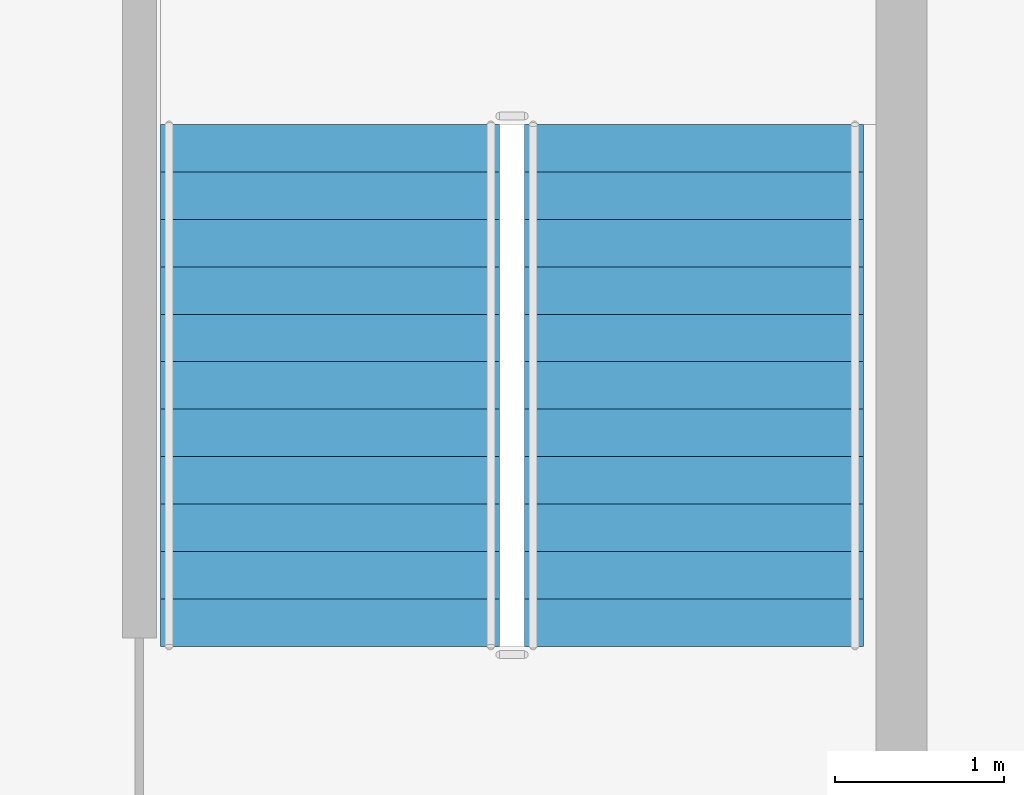
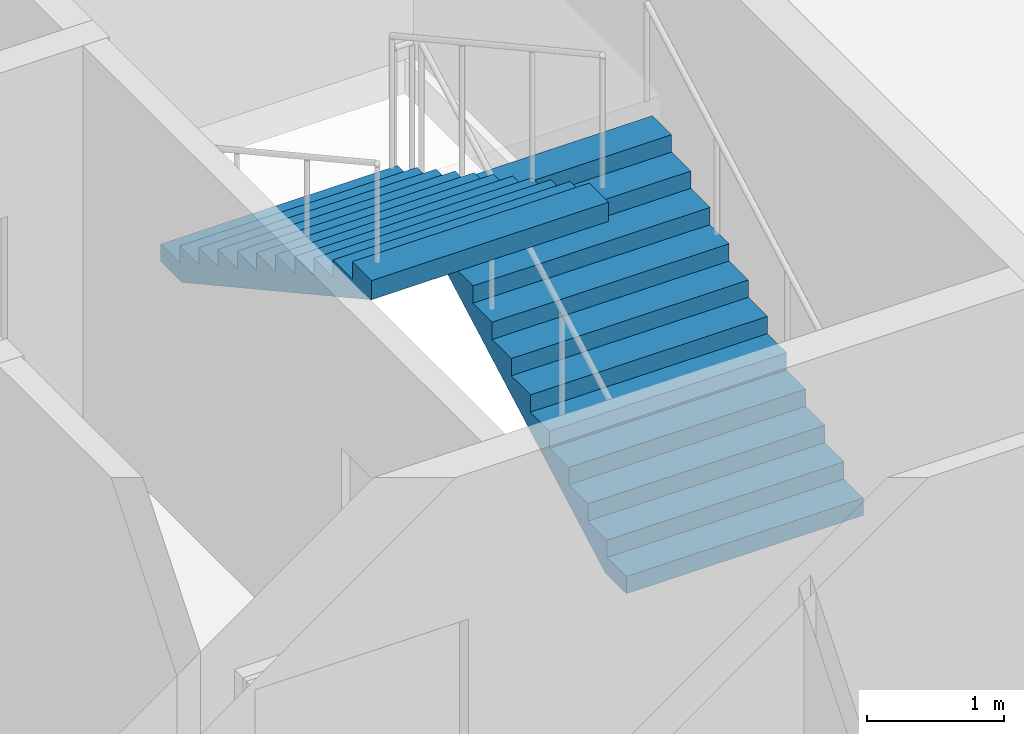
# One storey, part 10 of 12: 2 stair flights, 1 element without a shape of its own.
"""IFC4 building model written with IfcOpenShell, lengths in metres."""

from ifc_helpers import new_model, si_unit, direction, frame, origin, place, context, subcontext, project, spatial, polygons, material, type_object, element, aggregate, save


model = new_model("IFC4")

# Units and contexts
model_context = context("Model", 3, precision=1e-05, world=origin(), true_north=direction((0.0, 1.0)))
body_context = subcontext(model_context, "Body", "Model", "MODEL_VIEW")
ifc_project = project(units=[si_unit("LENGTHUNIT", "METRE"), si_unit("AREAUNIT", "SQUARE_METRE"), si_unit("VOLUMEUNIT", "CUBIC_METRE"), si_unit("PLANEANGLEUNIT", "RADIAN"), si_unit("MASSUNIT", "GRAM", prefix="KILO")], contexts=[model_context])

# Site, building, storey
site_placement = place(None, origin())
site = spatial("IfcSite", under=ifc_project, at=site_placement, CompositionType="ELEMENT")
building_placement = place(site_placement, origin())
building = spatial("IfcBuilding", under=site, at=building_placement, Name="Caravel Reach Hotel and Residences", CompositionType="ELEMENT")
storey_placement = place(building_placement, frame((0.0, 0.0, 218.300048828125)))
storey = spatial("IfcBuildingStorey", under=building, at=storey_placement, Name="L55", CompositionType="ELEMENT", Elevation=218.300048828125)

# Stair, stair flights
ifc_material_1 = material(Name="Concrete C40", Category="concrete")
stair_type = type_object("IfcStairType", Name="Core stair", PredefinedType="HALF_TURN_STAIR", material=ifc_material_1)
stair_placement = place(storey_placement, origin())
stair = element("IfcStair", 1, at=stair_placement, inside=storey, type_object=stair_type, Name="L55 Exit stair B", PredefinedType="HALF_TURN_STAIR")
ifc_material_2 = material(Name="Concrete C40", Category="concrete")
stair_flight_type = type_object("IfcStairFlightType", Name="Core stair flight", PredefinedType="STRAIGHT", material=ifc_material_2)
stair_flight_1_placement = place(storey_placement, frame((43.77490234375, 24.64990234375, 0.0), z_axis=(0.0, 0.0, 1.0), x_axis=(0.0, 1.0, 0.0)))
stair_flight_1 = element("IfcStairFlight", 2, at=stair_flight_1_placement, type_object=stair_flight_type, Name="ST-B flight 1", NumberOfRisers=12, NumberOfTreads=11, PredefinedType="STRAIGHT", RiserHeight=0.154166667, TreadLength=0.28, context=body_context, shape_type="Tessellation", body=[
    polygons([(0.3107950034306102, 1.0, 0.0), (0.3107950034306102, 0.6666666666666667, 0.0), (0.3107950034306102, 0.33333333333333337, 0.0), (0.3107950034306102, 0.0, 0.0), (0.3107950034306102, -0.33333333333333326, 0.0), (0.3107950034306102, -0.6666666666666667, 0.0), (0.3107950034306102, -1.0, 0.0), (3.081, 1.0, 1.524711087717319), (3.081, 0.6666666666666667, 1.524711087717319), (3.081, 0.33333333333333337, 1.524711087717319), (3.081, 0.0, 1.524711087717319), (3.081, -0.33333333333333326, 1.524711087717319), (3.081, -0.6666666666666667, 1.524711087717319), (3.081, -1.0, 1.524711087717319), (3.081, 1.0, 1.695833337), (3.081, 0.6666666666666667, 1.695833337), (3.081, 0.33333333333333337, 1.695833337), (3.081, 0.0, 1.695833337), (3.081, -0.33333333333333326, 1.695833337), (3.081, -0.6666666666666667, 1.695833337), (3.081, -1.0, 1.695833337), (2.8000000000000003, 1.0, 1.695833337), (2.8000000000000003, 0.6666666666666667, 1.695833337), (2.8000000000000003, 0.33333333333333337, 1.695833337), (2.8000000000000003, 0.0, 1.695833337), (2.8000000000000003, -0.33333333333333326, 1.695833337), (2.8000000000000003, -0.6666666666666667, 1.695833337), (2.8000000000000003, -1.0, 1.695833337), (2.8000000000000003, 1.0, 1.5416666700000001), (2.8000000000000003, 0.6666666666666667, 1.5416666700000001), (2.8000000000000003, 0.33333333333333337, 1.5416666700000001), (2.8000000000000003, 0.0, 1.5416666700000001), (2.8000000000000003, -0.33333333333333326, 1.5416666700000001), (2.8000000000000003, -0.6666666666666667, 1.5416666700000001), (2.8000000000000003, -1.0, 1.5416666700000001), (2.5200000000000005, 1.0, 1.5416666700000001), (2.5200000000000005, 0.6666666666666667, 1.5416666700000001), (2.5200000000000005, 0.33333333333333337, 1.5416666700000001), (2.5200000000000005, 0.0, 1.5416666700000001), (2.5200000000000005, -0.33333333333333326, 1.5416666700000001), (2.5200000000000005, -0.6666666666666667, 1.5416666700000001), (2.5200000000000005, -1.0, 1.5416666700000001), (2.5200000000000005, 1.0, 1.387500003), (2.5200000000000005, 0.6666666666666667, 1.387500003), (2.5200000000000005, 0.33333333333333337, 1.387500003), (2.5200000000000005, 0.0, 1.387500003), (2.5200000000000005, -0.33333333333333326, 1.387500003), (2.5200000000000005, -0.6666666666666667, 1.387500003), (2.5200000000000005, -1.0, 1.387500003), (2.24, 1.0, 1.387500003), (2.24, 0.6666666666666667, 1.387500003), (2.24, 0.33333333333333337, 1.387500003), (2.24, 0.0, 1.387500003), (2.24, -0.33333333333333326, 1.387500003), (2.24, -0.6666666666666667, 1.387500003), (2.24, -1.0, 1.387500003), (2.24, 1.0, 1.233333336), (2.24, 0.6666666666666667, 1.233333336), (2.24, 0.33333333333333337, 1.233333336), (2.24, 0.0, 1.233333336), (2.24, -0.33333333333333326, 1.233333336), (2.24, -0.6666666666666667, 1.233333336), (2.24, -1.0, 1.233333336), (1.9600000000000002, 1.0, 1.233333336), (1.9600000000000002, 0.6666666666666667, 1.233333336), (1.9600000000000002, 0.33333333333333337, 1.233333336), (1.9600000000000002, 0.0, 1.233333336), (1.9600000000000002, -0.33333333333333326, 1.233333336), (1.9600000000000002, -0.6666666666666667, 1.233333336), (1.9600000000000002, -1.0, 1.233333336), (1.9600000000000002, 1.0, 1.0791666690000001), (1.9600000000000002, 0.6666666666666667, 1.0791666690000001), (1.9600000000000002, 0.33333333333333337, 1.0791666690000001), (1.9600000000000002, 0.0, 1.0791666690000001), (1.9600000000000002, -0.33333333333333326, 1.0791666690000001), (1.9600000000000002, -0.6666666666666667, 1.0791666690000001), (1.9600000000000002, -1.0, 1.0791666690000001), (1.6800000000000002, 1.0, 1.0791666690000001), (1.6800000000000002, 0.6666666666666667, 1.0791666690000001), (1.6800000000000002, 0.33333333333333337, 1.0791666690000001), (1.6800000000000002, 0.0, 1.0791666690000001), (1.6800000000000002, -0.33333333333333326, 1.0791666690000001), (1.6800000000000002, -0.6666666666666667, 1.0791666690000001), (1.6800000000000002, -1.0, 1.0791666690000001), (1.6800000000000002, 1.0, 0.925000002), (1.6800000000000002, 0.6666666666666667, 0.925000002), (1.6800000000000002, 0.33333333333333337, 0.925000002), (1.6800000000000002, 0.0, 0.925000002), (1.6800000000000002, -0.33333333333333326, 0.925000002), (1.6800000000000002, -0.6666666666666667, 0.925000002), (1.6800000000000002, -1.0, 0.925000002), (1.4000000000000001, 1.0, 0.925000002), (1.4000000000000001, 0.6666666666666667, 0.925000002), (1.4000000000000001, 0.33333333333333337, 0.925000002), (1.4000000000000001, 0.0, 0.925000002), (1.4000000000000001, -0.33333333333333326, 0.925000002), (1.4000000000000001, -0.6666666666666667, 0.925000002), (1.4000000000000001, -1.0, 0.925000002), (1.4000000000000001, 1.0, 0.7708333350000001), (1.4000000000000001, 0.6666666666666667, 0.7708333350000001), (1.4000000000000001, 0.33333333333333337, 0.7708333350000001), (1.4000000000000001, 0.0, 0.7708333350000001), (1.4000000000000001, -0.33333333333333326, 0.7708333350000001), (1.4000000000000001, -0.6666666666666667, 0.7708333350000001), (1.4000000000000001, -1.0, 0.7708333350000001), (1.12, 1.0, 0.7708333350000001), (1.12, 0.6666666666666667, 0.7708333350000001), (1.12, 0.33333333333333337, 0.7708333350000001), (1.12, 0.0, 0.7708333350000001), (1.12, -0.33333333333333326, 0.7708333350000001), (1.12, -0.6666666666666667, 0.7708333350000001), (1.12, -1.0, 0.7708333350000001), (1.12, 1.0, 0.616666668), (1.12, 0.6666666666666667, 0.616666668), (1.12, 0.33333333333333337, 0.616666668), (1.12, 0.0, 0.616666668), (1.12, -0.33333333333333326, 0.616666668), (1.12, -0.6666666666666667, 0.616666668), (1.12, -1.0, 0.616666668), (0.8400000000000001, 1.0, 0.616666668), (0.8400000000000001, 0.6666666666666667, 0.616666668), (0.8400000000000001, 0.33333333333333337, 0.616666668), (0.8400000000000001, 0.0, 0.616666668), (0.8400000000000001, -0.33333333333333326, 0.616666668), (0.8400000000000001, -0.6666666666666667, 0.616666668), (0.8400000000000001, -1.0, 0.616666668), (0.8400000000000001, 1.0, 0.462500001), (0.8400000000000001, 0.6666666666666667, 0.462500001), (0.8400000000000001, 0.33333333333333337, 0.462500001), (0.8400000000000001, 0.0, 0.462500001), (0.8400000000000001, -0.33333333333333326, 0.462500001), (0.8400000000000001, -0.6666666666666667, 0.462500001), (0.8400000000000001, -1.0, 0.462500001), (0.56, 1.0, 0.462500001), (0.56, 0.6666666666666667, 0.462500001), (0.56, 0.33333333333333337, 0.462500001), (0.56, 0.0, 0.462500001), (0.56, -0.33333333333333326, 0.462500001), (0.56, -0.6666666666666667, 0.462500001), (0.56, -1.0, 0.462500001), (0.56, 1.0, 0.308333334), (0.56, 0.6666666666666667, 0.308333334), (0.56, 0.33333333333333337, 0.308333334), (0.56, 0.0, 0.308333334), (0.56, -0.33333333333333326, 0.308333334), (0.56, -0.6666666666666667, 0.308333334), (0.56, -1.0, 0.308333334), (0.28, 1.0, 0.308333334), (0.28, 0.6666666666666667, 0.308333334), (0.28, 0.33333333333333337, 0.308333334), (0.28, 0.0, 0.308333334), (0.28, -0.33333333333333326, 0.308333334), (0.28, -0.6666666666666667, 0.308333334), (0.28, -1.0, 0.308333334), (0.28, 1.0, 0.154166667), (0.28, 0.6666666666666667, 0.154166667), (0.28, 0.33333333333333337, 0.154166667), (0.28, 0.0, 0.154166667), (0.28, -0.33333333333333326, 0.154166667), (0.28, -0.6666666666666667, 0.154166667), (0.28, -1.0, 0.154166667), (-0.001, 1.0, 0.154166667), (-0.001, 0.6666666666666667, 0.154166667), (-0.001, 0.33333333333333337, 0.154166667), (-0.001, 0.0, 0.154166667), (-0.001, -0.33333333333333326, 0.154166667), (-0.001, -0.6666666666666667, 0.154166667), (-0.001, -1.0, 0.154166667), (-0.001, 1.0, 0.0), (-0.001, 0.6666666666666667, 0.0), (-0.001, 0.33333333333333337, 0.0), (-0.001, 0.0, 0.0), (-0.001, -0.33333333333333326, 0.0), (-0.001, -0.6666666666666667, 0.0), (-0.001, -1.0, 0.0)], [[[169, 162, 155, 148, 141, 134, 127, 120, 113, 106, 99, 92, 85, 78, 71, 64, 57, 50, 43, 36, 29, 22, 15, 8, 1]], [[7, 14, 21, 28, 35, 42, 49, 56, 63, 70, 77, 84, 91, 98, 105, 112, 119, 126, 133, 140, 147, 154, 161, 168, 175]], [[1, 8, 9, 2]], [[2, 9, 10, 3]], [[3, 10, 11, 4]], [[4, 11, 12, 5]], [[5, 12, 13, 6]], [[6, 13, 14, 7]], [[8, 15, 16, 9]], [[9, 16, 17, 10]], [[10, 17, 18, 11]], [[11, 18, 19, 12]], [[12, 19, 20, 13]], [[13, 20, 21, 14]], [[15, 22, 23, 16]], [[16, 23, 24, 17]], [[17, 24, 25, 18]], [[18, 25, 26, 19]], [[19, 26, 27, 20]], [[20, 27, 28, 21]], [[22, 29, 30, 23]], [[23, 30, 31, 24]], [[24, 31, 32, 25]], [[25, 32, 33, 26]], [[26, 33, 34, 27]], [[27, 34, 35, 28]], [[29, 36, 37, 30]], [[30, 37, 38, 31]], [[31, 38, 39, 32]], [[32, 39, 40, 33]], [[33, 40, 41, 34]], [[34, 41, 42, 35]], [[36, 43, 44, 37]], [[37, 44, 45, 38]], [[38, 45, 46, 39]], [[39, 46, 47, 40]], [[40, 47, 48, 41]], [[41, 48, 49, 42]], [[43, 50, 51, 44]], [[44, 51, 52, 45]], [[45, 52, 53, 46]], [[46, 53, 54, 47]], [[47, 54, 55, 48]], [[48, 55, 56, 49]], [[50, 57, 58, 51]], [[51, 58, 59, 52]], [[52, 59, 60, 53]], [[53, 60, 61, 54]], [[54, 61, 62, 55]], [[55, 62, 63, 56]], [[57, 64, 65, 58]], [[58, 65, 66, 59]], [[59, 66, 67, 60]], [[60, 67, 68, 61]], [[61, 68, 69, 62]], [[62, 69, 70, 63]], [[64, 71, 72, 65]], [[65, 72, 73, 66]], [[66, 73, 74, 67]], [[67, 74, 75, 68]], [[68, 75, 76, 69]], [[69, 76, 77, 70]], [[71, 78, 79, 72]], [[72, 79, 80, 73]], [[73, 80, 81, 74]], [[74, 81, 82, 75]], [[75, 82, 83, 76]], [[76, 83, 84, 77]], [[78, 85, 86, 79]], [[79, 86, 87, 80]], [[80, 87, 88, 81]], [[81, 88, 89, 82]], [[82, 89, 90, 83]], [[83, 90, 91, 84]], [[85, 92, 93, 86]], [[86, 93, 94, 87]], [[87, 94, 95, 88]], [[88, 95, 96, 89]], [[89, 96, 97, 90]], [[90, 97, 98, 91]], [[92, 99, 100, 93]], [[93, 100, 101, 94]], [[94, 101, 102, 95]], [[95, 102, 103, 96]], [[96, 103, 104, 97]], [[97, 104, 105, 98]], [[99, 106, 107, 100]], [[100, 107, 108, 101]], [[101, 108, 109, 102]], [[102, 109, 110, 103]], [[103, 110, 111, 104]], [[104, 111, 112, 105]], [[106, 113, 114, 107]], [[107, 114, 115, 108]], [[108, 115, 116, 109]], [[109, 116, 117, 110]], [[110, 117, 118, 111]], [[111, 118, 119, 112]], [[113, 120, 121, 114]], [[114, 121, 122, 115]], [[115, 122, 123, 116]], [[116, 123, 124, 117]], [[117, 124, 125, 118]], [[118, 125, 126, 119]], [[120, 127, 128, 121]], [[121, 128, 129, 122]], [[122, 129, 130, 123]], [[123, 130, 131, 124]], [[124, 131, 132, 125]], [[125, 132, 133, 126]], [[127, 134, 135, 128]], [[128, 135, 136, 129]], [[129, 136, 137, 130]], [[130, 137, 138, 131]], [[131, 138, 139, 132]], [[132, 139, 140, 133]], [[134, 141, 142, 135]], [[135, 142, 143, 136]], [[136, 143, 144, 137]], [[137, 144, 145, 138]], [[138, 145, 146, 139]], [[139, 146, 147, 140]], [[141, 148, 149, 142]], [[142, 149, 150, 143]], [[143, 150, 151, 144]], [[144, 151, 152, 145]], [[145, 152, 153, 146]], [[146, 153, 154, 147]], [[148, 155, 156, 149]], [[149, 156, 157, 150]], [[150, 157, 158, 151]], [[151, 158, 159, 152]], [[152, 159, 160, 153]], [[153, 160, 161, 154]], [[155, 162, 163, 156]], [[156, 163, 164, 157]], [[157, 164, 165, 158]], [[158, 165, 166, 159]], [[159, 166, 167, 160]], [[160, 167, 168, 161]], [[162, 169, 170, 163]], [[163, 170, 171, 164]], [[164, 171, 172, 165]], [[165, 172, 173, 166]], [[166, 173, 174, 167]], [[167, 174, 175, 168]], [[169, 1, 2, 170]], [[170, 2, 3, 171]], [[171, 3, 4, 172]], [[172, 4, 5, 173]], [[173, 5, 6, 174]], [[174, 6, 7, 175]]], closed=True),
])
stair_flight_2_placement = place(storey_placement, frame((41.625, 27.72998046875, 1.849853515625), z_axis=(0.0, 0.0, 1.0), x_axis=(0.0, -1.0, 0.0)))
stair_flight_2 = element("IfcStairFlight", 3, at=stair_flight_2_placement, type_object=stair_flight_type, Name="ST-B flight 2", NumberOfRisers=12, NumberOfTreads=11, PredefinedType="STRAIGHT", RiserHeight=0.154166667, TreadLength=0.28, context=body_context, shape_type="Tessellation", body=[
    polygons([(0.3107950034306102, 1.0, 0.0), (0.3107950034306102, 0.6666666666666667, 0.0), (0.3107950034306102, 0.33333333333333337, 0.0), (0.3107950034306102, 0.0, 0.0), (0.3107950034306102, -0.33333333333333326, 0.0), (0.3107950034306102, -0.6666666666666667, 0.0), (0.3107950034306102, -1.0, 0.0), (3.081, 1.0, 1.524711087717319), (3.081, 0.6666666666666667, 1.524711087717319), (3.081, 0.33333333333333337, 1.524711087717319), (3.081, 0.0, 1.524711087717319), (3.081, -0.33333333333333326, 1.524711087717319), (3.081, -0.6666666666666667, 1.524711087717319), (3.081, -1.0, 1.524711087717319), (3.081, 1.0, 1.695833337), (3.081, 0.6666666666666667, 1.695833337), (3.081, 0.33333333333333337, 1.695833337), (3.081, 0.0, 1.695833337), (3.081, -0.33333333333333326, 1.695833337), (3.081, -0.6666666666666667, 1.695833337), (3.081, -1.0, 1.695833337), (2.8000000000000003, 1.0, 1.695833337), (2.8000000000000003, 0.6666666666666667, 1.695833337), (2.8000000000000003, 0.33333333333333337, 1.695833337), (2.8000000000000003, 0.0, 1.695833337), (2.8000000000000003, -0.33333333333333326, 1.695833337), (2.8000000000000003, -0.6666666666666667, 1.695833337), (2.8000000000000003, -1.0, 1.695833337), (2.8000000000000003, 1.0, 1.5416666700000001), (2.8000000000000003, 0.6666666666666667, 1.5416666700000001), (2.8000000000000003, 0.33333333333333337, 1.5416666700000001), (2.8000000000000003, 0.0, 1.5416666700000001), (2.8000000000000003, -0.33333333333333326, 1.5416666700000001), (2.8000000000000003, -0.6666666666666667, 1.5416666700000001), (2.8000000000000003, -1.0, 1.5416666700000001), (2.5200000000000005, 1.0, 1.5416666700000001), (2.5200000000000005, 0.6666666666666667, 1.5416666700000001), (2.5200000000000005, 0.33333333333333337, 1.5416666700000001), (2.5200000000000005, 0.0, 1.5416666700000001), (2.5200000000000005, -0.33333333333333326, 1.5416666700000001), (2.5200000000000005, -0.6666666666666667, 1.5416666700000001), (2.5200000000000005, -1.0, 1.5416666700000001), (2.5200000000000005, 1.0, 1.387500003), (2.5200000000000005, 0.6666666666666667, 1.387500003), (2.5200000000000005, 0.33333333333333337, 1.387500003), (2.5200000000000005, 0.0, 1.387500003), (2.5200000000000005, -0.33333333333333326, 1.387500003), (2.5200000000000005, -0.6666666666666667, 1.387500003), (2.5200000000000005, -1.0, 1.387500003), (2.24, 1.0, 1.387500003), (2.24, 0.6666666666666667, 1.387500003), (2.24, 0.33333333333333337, 1.387500003), (2.24, 0.0, 1.387500003), (2.24, -0.33333333333333326, 1.387500003), (2.24, -0.6666666666666667, 1.387500003), (2.24, -1.0, 1.387500003), (2.24, 1.0, 1.233333336), (2.24, 0.6666666666666667, 1.233333336), (2.24, 0.33333333333333337, 1.233333336), (2.24, 0.0, 1.233333336), (2.24, -0.33333333333333326, 1.233333336), (2.24, -0.6666666666666667, 1.233333336), (2.24, -1.0, 1.233333336), (1.9600000000000002, 1.0, 1.233333336), (1.9600000000000002, 0.6666666666666667, 1.233333336), (1.9600000000000002, 0.33333333333333337, 1.233333336), (1.9600000000000002, 0.0, 1.233333336), (1.9600000000000002, -0.33333333333333326, 1.233333336), (1.9600000000000002, -0.6666666666666667, 1.233333336), (1.9600000000000002, -1.0, 1.233333336), (1.9600000000000002, 1.0, 1.0791666690000001), (1.9600000000000002, 0.6666666666666667, 1.0791666690000001), (1.9600000000000002, 0.33333333333333337, 1.0791666690000001), (1.9600000000000002, 0.0, 1.0791666690000001), (1.9600000000000002, -0.33333333333333326, 1.0791666690000001), (1.9600000000000002, -0.6666666666666667, 1.0791666690000001), (1.9600000000000002, -1.0, 1.0791666690000001), (1.6800000000000002, 1.0, 1.0791666690000001), (1.6800000000000002, 0.6666666666666667, 1.0791666690000001), (1.6800000000000002, 0.33333333333333337, 1.0791666690000001), (1.6800000000000002, 0.0, 1.0791666690000001), (1.6800000000000002, -0.33333333333333326, 1.0791666690000001), (1.6800000000000002, -0.6666666666666667, 1.0791666690000001), (1.6800000000000002, -1.0, 1.0791666690000001), (1.6800000000000002, 1.0, 0.925000002), (1.6800000000000002, 0.6666666666666667, 0.925000002), (1.6800000000000002, 0.33333333333333337, 0.925000002), (1.6800000000000002, 0.0, 0.925000002), (1.6800000000000002, -0.33333333333333326, 0.925000002), (1.6800000000000002, -0.6666666666666667, 0.925000002), (1.6800000000000002, -1.0, 0.925000002), (1.4000000000000001, 1.0, 0.925000002), (1.4000000000000001, 0.6666666666666667, 0.925000002), (1.4000000000000001, 0.33333333333333337, 0.925000002), (1.4000000000000001, 0.0, 0.925000002), (1.4000000000000001, -0.33333333333333326, 0.925000002), (1.4000000000000001, -0.6666666666666667, 0.925000002), (1.4000000000000001, -1.0, 0.925000002), (1.4000000000000001, 1.0, 0.7708333350000001), (1.4000000000000001, 0.6666666666666667, 0.7708333350000001), (1.4000000000000001, 0.33333333333333337, 0.7708333350000001), (1.4000000000000001, 0.0, 0.7708333350000001), (1.4000000000000001, -0.33333333333333326, 0.7708333350000001), (1.4000000000000001, -0.6666666666666667, 0.7708333350000001), (1.4000000000000001, -1.0, 0.7708333350000001), (1.12, 1.0, 0.7708333350000001), (1.12, 0.6666666666666667, 0.7708333350000001), (1.12, 0.33333333333333337, 0.7708333350000001), (1.12, 0.0, 0.7708333350000001), (1.12, -0.33333333333333326, 0.7708333350000001), (1.12, -0.6666666666666667, 0.7708333350000001), (1.12, -1.0, 0.7708333350000001), (1.12, 1.0, 0.616666668), (1.12, 0.6666666666666667, 0.616666668), (1.12, 0.33333333333333337, 0.616666668), (1.12, 0.0, 0.616666668), (1.12, -0.33333333333333326, 0.616666668), (1.12, -0.6666666666666667, 0.616666668), (1.12, -1.0, 0.616666668), (0.8400000000000001, 1.0, 0.616666668), (0.8400000000000001, 0.6666666666666667, 0.616666668), (0.8400000000000001, 0.33333333333333337, 0.616666668), (0.8400000000000001, 0.0, 0.616666668), (0.8400000000000001, -0.33333333333333326, 0.616666668), (0.8400000000000001, -0.6666666666666667, 0.616666668), (0.8400000000000001, -1.0, 0.616666668), (0.8400000000000001, 1.0, 0.462500001), (0.8400000000000001, 0.6666666666666667, 0.462500001), (0.8400000000000001, 0.33333333333333337, 0.462500001), (0.8400000000000001, 0.0, 0.462500001), (0.8400000000000001, -0.33333333333333326, 0.462500001), (0.8400000000000001, -0.6666666666666667, 0.462500001), (0.8400000000000001, -1.0, 0.462500001), (0.56, 1.0, 0.462500001), (0.56, 0.6666666666666667, 0.462500001), (0.56, 0.33333333333333337, 0.462500001), (0.56, 0.0, 0.462500001), (0.56, -0.33333333333333326, 0.462500001), (0.56, -0.6666666666666667, 0.462500001), (0.56, -1.0, 0.462500001), (0.56, 1.0, 0.308333334), (0.56, 0.6666666666666667, 0.308333334), (0.56, 0.33333333333333337, 0.308333334), (0.56, 0.0, 0.308333334), (0.56, -0.33333333333333326, 0.308333334), (0.56, -0.6666666666666667, 0.308333334), (0.56, -1.0, 0.308333334), (0.28, 1.0, 0.308333334), (0.28, 0.6666666666666667, 0.308333334), (0.28, 0.33333333333333337, 0.308333334), (0.28, 0.0, 0.308333334), (0.28, -0.33333333333333326, 0.308333334), (0.28, -0.6666666666666667, 0.308333334), (0.28, -1.0, 0.308333334), (0.28, 1.0, 0.154166667), (0.28, 0.6666666666666667, 0.154166667), (0.28, 0.33333333333333337, 0.154166667), (0.28, 0.0, 0.154166667), (0.28, -0.33333333333333326, 0.154166667), (0.28, -0.6666666666666667, 0.154166667), (0.28, -1.0, 0.154166667), (-0.001, 1.0, 0.154166667), (-0.001, 0.6666666666666667, 0.154166667), (-0.001, 0.33333333333333337, 0.154166667), (-0.001, 0.0, 0.154166667), (-0.001, -0.33333333333333326, 0.154166667), (-0.001, -0.6666666666666667, 0.154166667), (-0.001, -1.0, 0.154166667), (-0.001, 1.0, 0.0), (-0.001, 0.6666666666666667, 0.0), (-0.001, 0.33333333333333337, 0.0), (-0.001, 0.0, 0.0), (-0.001, -0.33333333333333326, 0.0), (-0.001, -0.6666666666666667, 0.0), (-0.001, -1.0, 0.0)], [[[169, 162, 155, 148, 141, 134, 127, 120, 113, 106, 99, 92, 85, 78, 71, 64, 57, 50, 43, 36, 29, 22, 15, 8, 1]], [[7, 14, 21, 28, 35, 42, 49, 56, 63, 70, 77, 84, 91, 98, 105, 112, 119, 126, 133, 140, 147, 154, 161, 168, 175]], [[1, 8, 9, 2]], [[2, 9, 10, 3]], [[3, 10, 11, 4]], [[4, 11, 12, 5]], [[5, 12, 13, 6]], [[6, 13, 14, 7]], [[8, 15, 16, 9]], [[9, 16, 17, 10]], [[10, 17, 18, 11]], [[11, 18, 19, 12]], [[12, 19, 20, 13]], [[13, 20, 21, 14]], [[15, 22, 23, 16]], [[16, 23, 24, 17]], [[17, 24, 25, 18]], [[18, 25, 26, 19]], [[19, 26, 27, 20]], [[20, 27, 28, 21]], [[22, 29, 30, 23]], [[23, 30, 31, 24]], [[24, 31, 32, 25]], [[25, 32, 33, 26]], [[26, 33, 34, 27]], [[27, 34, 35, 28]], [[29, 36, 37, 30]], [[30, 37, 38, 31]], [[31, 38, 39, 32]], [[32, 39, 40, 33]], [[33, 40, 41, 34]], [[34, 41, 42, 35]], [[36, 43, 44, 37]], [[37, 44, 45, 38]], [[38, 45, 46, 39]], [[39, 46, 47, 40]], [[40, 47, 48, 41]], [[41, 48, 49, 42]], [[43, 50, 51, 44]], [[44, 51, 52, 45]], [[45, 52, 53, 46]], [[46, 53, 54, 47]], [[47, 54, 55, 48]], [[48, 55, 56, 49]], [[50, 57, 58, 51]], [[51, 58, 59, 52]], [[52, 59, 60, 53]], [[53, 60, 61, 54]], [[54, 61, 62, 55]], [[55, 62, 63, 56]], [[57, 64, 65, 58]], [[58, 65, 66, 59]], [[59, 66, 67, 60]], [[60, 67, 68, 61]], [[61, 68, 69, 62]], [[62, 69, 70, 63]], [[64, 71, 72, 65]], [[65, 72, 73, 66]], [[66, 73, 74, 67]], [[67, 74, 75, 68]], [[68, 75, 76, 69]], [[69, 76, 77, 70]], [[71, 78, 79, 72]], [[72, 79, 80, 73]], [[73, 80, 81, 74]], [[74, 81, 82, 75]], [[75, 82, 83, 76]], [[76, 83, 84, 77]], [[78, 85, 86, 79]], [[79, 86, 87, 80]], [[80, 87, 88, 81]], [[81, 88, 89, 82]], [[82, 89, 90, 83]], [[83, 90, 91, 84]], [[85, 92, 93, 86]], [[86, 93, 94, 87]], [[87, 94, 95, 88]], [[88, 95, 96, 89]], [[89, 96, 97, 90]], [[90, 97, 98, 91]], [[92, 99, 100, 93]], [[93, 100, 101, 94]], [[94, 101, 102, 95]], [[95, 102, 103, 96]], [[96, 103, 104, 97]], [[97, 104, 105, 98]], [[99, 106, 107, 100]], [[100, 107, 108, 101]], [[101, 108, 109, 102]], [[102, 109, 110, 103]], [[103, 110, 111, 104]], [[104, 111, 112, 105]], [[106, 113, 114, 107]], [[107, 114, 115, 108]], [[108, 115, 116, 109]], [[109, 116, 117, 110]], [[110, 117, 118, 111]], [[111, 118, 119, 112]], [[113, 120, 121, 114]], [[114, 121, 122, 115]], [[115, 122, 123, 116]], [[116, 123, 124, 117]], [[117, 124, 125, 118]], [[118, 125, 126, 119]], [[120, 127, 128, 121]], [[121, 128, 129, 122]], [[122, 129, 130, 123]], [[123, 130, 131, 124]], [[124, 131, 132, 125]], [[125, 132, 133, 126]], [[127, 134, 135, 128]], [[128, 135, 136, 129]], [[129, 136, 137, 130]], [[130, 137, 138, 131]], [[131, 138, 139, 132]], [[132, 139, 140, 133]], [[134, 141, 142, 135]], [[135, 142, 143, 136]], [[136, 143, 144, 137]], [[137, 144, 145, 138]], [[138, 145, 146, 139]], [[139, 146, 147, 140]], [[141, 148, 149, 142]], [[142, 149, 150, 143]], [[143, 150, 151, 144]], [[144, 151, 152, 145]], [[145, 152, 153, 146]], [[146, 153, 154, 147]], [[148, 155, 156, 149]], [[149, 156, 157, 150]], [[150, 157, 158, 151]], [[151, 158, 159, 152]], [[152, 159, 160, 153]], [[153, 160, 161, 154]], [[155, 162, 163, 156]], [[156, 163, 164, 157]], [[157, 164, 165, 158]], [[158, 165, 166, 159]], [[159, 166, 167, 160]], [[160, 167, 168, 161]], [[162, 169, 170, 163]], [[163, 170, 171, 164]], [[164, 171, 172, 165]], [[165, 172, 173, 166]], [[166, 173, 174, 167]], [[167, 174, 175, 168]], [[169, 1, 2, 170]], [[170, 2, 3, 171]], [[171, 3, 4, 172]], [[172, 4, 5, 173]], [[173, 5, 6, 174]], [[174, 6, 7, 175]]], closed=True),
])
aggregate(stair, [stair_flight_1, stair_flight_2])

save(model, "model.ifc")
